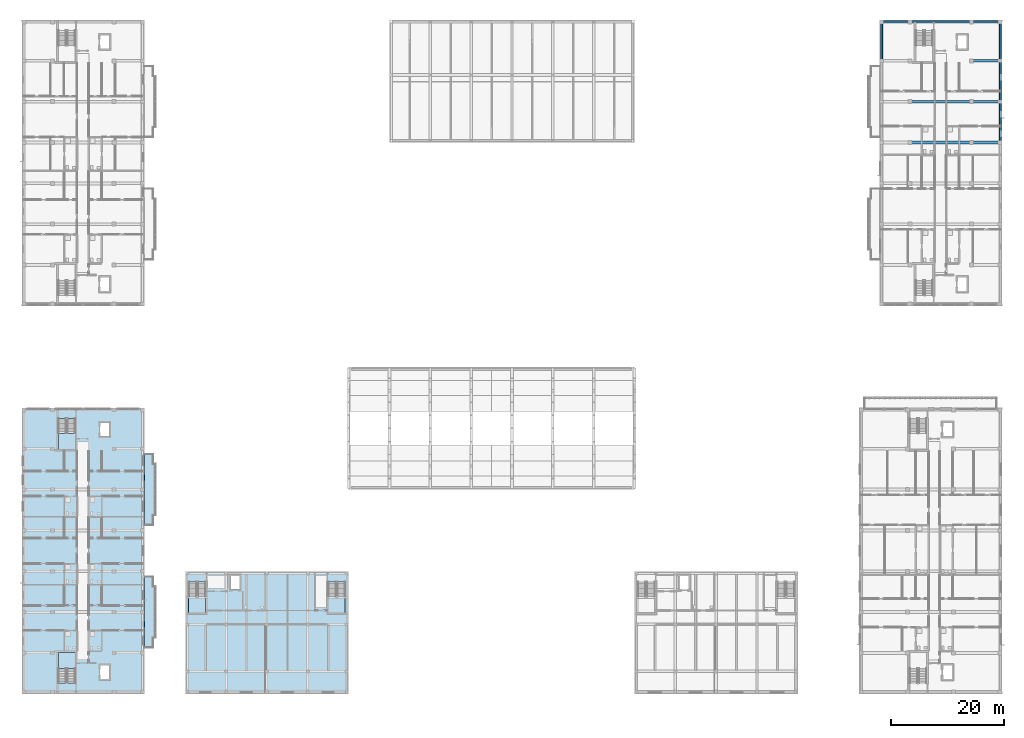
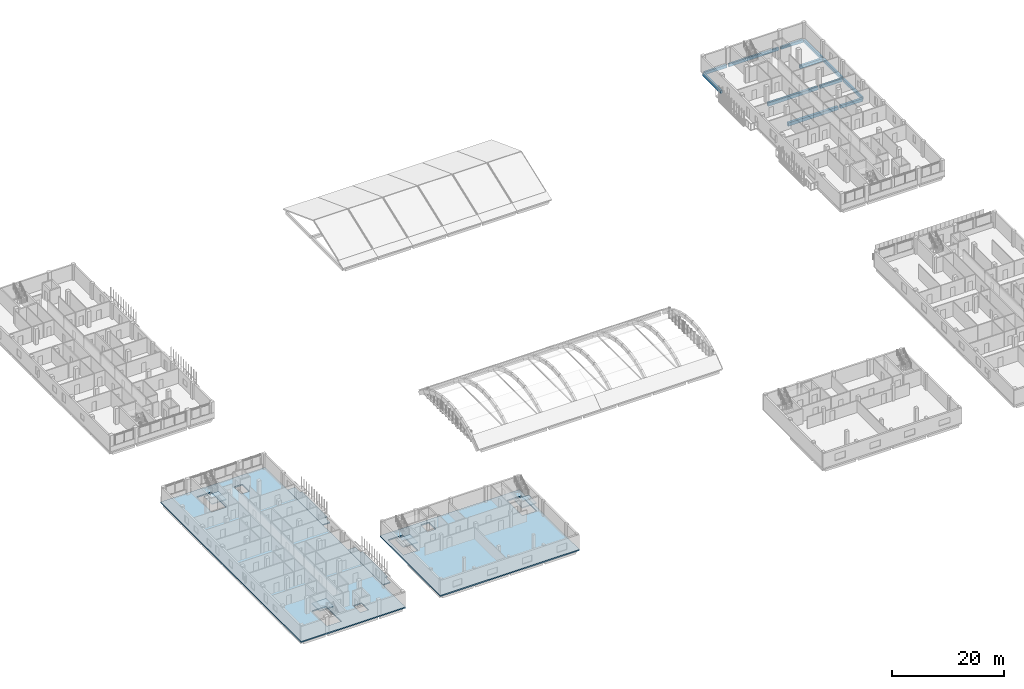
# One storey, part 28 of 73: 12 beams, 8 slabs, 4 elements without a shape of their own.
"""IFC4 building model written with IfcOpenShell, lengths in metres."""

from ifc_helpers import new_model, si_unit, derived_unit, direction, frame, origin, origin_2d, place, context, subcontext, project, spatial, polyline, rectangle, outline, extrude, material, layer, layer_set, material_profile, profile_set, type_object, element, aggregate, save


model = new_model("IFC4")

# Units and contexts
model_context = context("Model", 3, precision=1e-05, world=origin(), true_north=direction((0.0, 1.0)))
body_context = subcontext(model_context, "Body", "Model", "MODEL_VIEW")
ifc_project = project(units=[si_unit("LENGTHUNIT", "METRE"), si_unit("AREAUNIT", "SQUARE_METRE"), si_unit("VOLUMEUNIT", "CUBIC_METRE"), si_unit("PLANEANGLEUNIT", "RADIAN"), si_unit("MASSUNIT", "GRAM", prefix="KILO"), derived_unit("THERMALTRANSMITTANCEUNIT", [(si_unit("MASSUNIT", "GRAM", prefix="KILO"), 1), (si_unit("TIMEUNIT", "SECOND"), -3), (si_unit("THERMODYNAMICTEMPERATUREUNIT", "KELVIN"), -1)])], contexts=[model_context])

# Site, building, storey
site_placement = place(None, origin())
site = spatial("IfcSite", under=ifc_project, at=site_placement, CompositionType="ELEMENT")
building_placement = place(site_placement, origin())
building = spatial("IfcBuilding", under=site, at=building_placement, Name="Ochrekiln Boulevard Commons", CompositionType="ELEMENT")
storey_placement = place(building_placement, frame((0.0, 0.0, 8.574951171875)))
storey = spatial("IfcBuildingStorey", under=building, at=storey_placement, Name="L02", CompositionType="ELEMENT", Elevation=8.574951171875)

# Beams
ifc_material_1 = material(Name="Concrete C35/45", Category="concrete")
ifc_material_profile_1 = material_profile(ifc_material_1, rectangle(XDim=0.449951171875, YDim=0.64990234375, at=origin_2d()), Name="RC-BM-450x650")
ifc_profile_set_1 = profile_set([ifc_material_profile_1], Name="Concrete C35/45")
beam_type_1 = type_object("IfcBeamType", Name="BM-RC-450x650", PredefinedType="BEAM", material=ifc_profile_set_1)
for number, where, z_axis, x_axis, name in (
    (1, (167.610107421875, 97.199951171875, -0.5849609375), (1.0, 0.0, 0.0), (0.0, 1.0, 0.0), "Block B L02 Beam B-4565 X14"),
    (2, (167.610107421875, 104.39990234375, -0.5849609375), (1.0, 0.0, 0.0), (0.0, 1.0, 0.0), "Block B L02 Beam B-4565 X17"),
    (3, (167.610107421875, 111.60009765625, -0.5849609375), (1.0, 0.0, 0.0), (0.0, 1.0, 0.0), "Block B L02 Beam B-4565 X19"),
):
    element("IfcBeam", number, at=place(storey_placement, frame(where, z_axis=z_axis, x_axis=x_axis)), inside=storey, type_object=beam_type_1, Name=name, PredefinedType="BEAM", context=body_context, shape_type="SweptSolid", body=[
        extrude(rectangle(XDim=0.449951171875, YDim=0.64990234375, at=origin_2d()), origin(), (0.0, 0.0, 1.0), 4.6298828125),
    ])
ifc_material_2 = material(Name="Concrete C40/50", Category="concrete")
ifc_material_profile_2 = material_profile(ifc_material_2, rectangle(XDim=0.5, YDim=0.699951171875, at=origin_2d()), Name="RC-BM-500x700")
ifc_profile_set_2 = profile_set([ifc_material_profile_2], Name="Concrete C40/50")
beam_type_2 = type_object("IfcBeamType", Name="BM-RC-500x700", PredefinedType="BEAM", material=ifc_profile_set_2)
for number, where, z_axis, x_axis, name in (
    (4, (156.81005859375, 97.199951171875, -0.60986328125), (1.0, 0.0, 0.0), (0.0, 1.0, 0.0), "Block B L02 Beam B-5070 X13"),
    (5, (156.81005859375, 104.39990234375, -0.60986328125), (1.0, 0.0, 0.0), (0.0, 1.0, 0.0), "Block B L02 Beam B-5070 X16"),
):
    element("IfcBeam", number, at=place(storey_placement, frame(where, z_axis=z_axis, x_axis=x_axis)), inside=storey, type_object=beam_type_2, Name=name, PredefinedType="BEAM", context=body_context, shape_type="SweptSolid", body=[
        extrude(rectangle(XDim=0.5, YDim=0.699951171875, at=origin_2d()), origin(), (0.0, 0.0, 1.0), 10.3798828125),
    ])
ifc_material_profile_3 = material_profile(ifc_material_2, rectangle(XDim=0.35009765625, YDim=0.64990234375, at=origin_2d()), Name="RC-SPN-350x650")
ifc_profile_set_3 = profile_set([ifc_material_profile_3], Name="Concrete C40/50")
beam_type_3 = type_object("IfcBeamType", Name="SPN-RC-350x650", PredefinedType="SPANDREL", material=ifc_profile_set_3)
beam_1_placement = place(storey_placement, frame((151.760009765625, 118.449951171875, -0.5849609375), z_axis=(1.0, 0.0, 0.0), x_axis=(0.0, 1.0, 0.0)))
element("IfcBeam", 6, at=beam_1_placement, inside=storey, type_object=beam_type_3, Name="Block B L02 Beam SP-3565 X20", PredefinedType="SPANDREL", context=body_context, shape_type="SweptSolid", body=[
    extrude(rectangle(XDim=0.35009765625, YDim=0.64990234375, at=origin_2d()), origin(), (0.0, 0.0, 1.0), 4.6298828125),
])
beam_2_placement = place(storey_placement, frame((156.81005859375, 118.449951171875, -0.5849609375), z_axis=(1.0, 0.0, 0.0), x_axis=(0.0, 1.0, 0.0)))
element("IfcBeam", 7, at=beam_2_placement, inside=storey, type_object=beam_type_3, Name="Block B L02 Beam SP-3565 X21", PredefinedType="SPANDREL", context=body_context, shape_type="SweptSolid", body=[
    extrude(rectangle(XDim=0.35009765625, YDim=0.64990234375, at=origin_2d()), origin(), (0.0, 0.0, 1.0), 10.3798828125),
])
beam_3_placement = place(storey_placement, frame((167.610107421875, 118.449951171875, -0.5849609375), z_axis=(1.0, 0.0, 0.0), x_axis=(0.0, 1.0, 0.0)))
element("IfcBeam", 8, at=beam_3_placement, inside=storey, type_object=beam_type_3, Name="Block B L02 Beam SP-3565 X22", PredefinedType="SPANDREL", context=body_context, shape_type="SweptSolid", body=[
    extrude(rectangle(XDim=0.35009765625, YDim=0.64990234375, at=origin_2d()), origin(), (0.0, 0.0, 1.0), 4.6298828125),
])
beam_4_placement = place(storey_placement, frame((151.550048828125, 111.81005859375, -0.5849609375), z_axis=(0.0, 1.0, 0.0), x_axis=(-1.0, 0.0, 0.0)))
element("IfcBeam", 9, at=beam_4_placement, inside=storey, type_object=beam_type_3, Name="Block B L02 Beam SP-3565 Y29", PredefinedType="SPANDREL", context=body_context, shape_type="SweptSolid", body=[
    extrude(rectangle(XDim=0.35009765625, YDim=0.64990234375, at=origin_2d()), origin(), (0.0, 0.0, 1.0), 6.429931640625),
])
beam_5_placement = place(storey_placement, frame((172.449951171875, 97.409912109375, -0.5849609375), z_axis=(0.0, 1.0, 0.0), x_axis=(-1.0, 0.0, 0.0)))
element("IfcBeam", 10, at=beam_5_placement, inside=storey, type_object=beam_type_3, Name="Block B L02 Beam SP-3565 Y34", PredefinedType="SPANDREL", context=body_context, shape_type="SweptSolid", body=[
    extrude(rectangle(XDim=0.35009765625, YDim=0.64990234375, at=origin_2d()), origin(), (0.0, 0.0, 1.0), 6.780029296875),
])
beam_6_placement = place(storey_placement, frame((172.449951171875, 104.610107421875, -0.5849609375), z_axis=(0.0, 1.0, 0.0), x_axis=(-1.0, 0.0, 0.0)))
element("IfcBeam", 11, at=beam_6_placement, inside=storey, type_object=beam_type_3, Name="Block B L02 Beam SP-3565 Y35", PredefinedType="SPANDREL", context=body_context, shape_type="SweptSolid", body=[
    extrude(rectangle(XDim=0.35009765625, YDim=0.64990234375, at=origin_2d()), origin(), (0.0, 0.0, 1.0), 6.77978515625),
])
beam_7_placement = place(storey_placement, frame((172.449951171875, 111.81005859375, -0.5849609375), z_axis=(0.0, 1.0, 0.0), x_axis=(-1.0, 0.0, 0.0)))
element("IfcBeam", 12, at=beam_7_placement, inside=storey, type_object=beam_type_3, Name="Block B L02 Beam SP-3565 Y36", PredefinedType="SPANDREL", context=body_context, shape_type="SweptSolid", body=[
    extrude(rectangle(XDim=0.35009765625, YDim=0.64990234375, at=origin_2d()), origin(), (0.0, 0.0, 1.0), 6.429931640625),
])

# Slabs
ifc_layer_1 = layer(ifc_material_1, 0.27490234375)
ifc_layer_set_1 = layer_set([ifc_layer_1], Name="Concrete C35/45")
slab_type_1 = type_object("IfcSlabType", Name="SLB-ARC-275", PredefinedType="FLOOR", material=ifc_layer_set_1)
slab_1_placement = place(storey_placement, frame((0.0, 0.0, -0.27490234375)))
element("IfcSlab", 13, at=slab_1_placement, inside=storey, type_object=slab_type_1, Name="West Boulevard Arcade L02 Floor Slab", PredefinedType="FLOOR", context=body_context, shape_type="SweptSolid", body=[
    extrude(outline(polyline([(28.800048828125, 0.0), (57.60009765625, 0.0), (57.60009765625, 21.60009765625), (28.800048828125, 21.60009765625), (28.800048828125, 0.0)]), holes=[polyline([(29.39990234375, 19.7294921875), (29.39990234375, 14.280029296875), (32.39990234375, 14.280029296875), (32.39990234375, 19.7294921875), (29.39990234375, 19.7294921875)]), polyline([(54.0, 19.7294921875), (54.0, 14.280029296875), (57.0, 14.280029296875), (57.0, 19.7294921875), (54.0, 19.7294921875)]), polyline([(36.75, 18.35009765625), (38.449951171875, 18.35009765625), (38.449951171875, 20.85009765625), (36.75, 20.85009765625), (36.75, 18.35009765625)])]), origin(), (0.0, 0.0, 1.0), 0.27490234375),
])
ifc_layer_2 = layer(ifc_material_1, 0.219970703125)
ifc_layer_set_2 = layer_set([ifc_layer_2], Name="Concrete C35/45")
slab_type_2 = type_object("IfcSlabType", Name="SLB-BAL-220", PredefinedType="FLOOR", material=ifc_layer_set_2)
slab_2_placement = place(storey_placement, frame((0.0, 0.0, -0.219970703125)))
element("IfcSlab", 14, at=slab_2_placement, inside=storey, type_object=slab_type_2, Name="Block D L02 Planter-Box Balcony Slab 1", PredefinedType="FLOOR", context=body_context, shape_type="SweptSolid", body=[
    extrude(outline(polyline([(21.60009765625, 8.10009765625), (23.14990234375, 8.10009765625), (23.14990234375, 9.89990234375), (23.60009765625, 9.89990234375), (23.60009765625, 18.89990234375), (23.14990234375, 18.89990234375), (23.14990234375, 20.699951171875), (21.60009765625, 20.699951171875), (21.60009765625, 8.10009765625)])), origin(), (0.0, 0.0, 1.0), 0.219970703125),
])
slab_3_placement = place(storey_placement, frame((0.0, 0.0, -0.219970703125)))
element("IfcSlab", 15, at=slab_3_placement, inside=storey, type_object=slab_type_2, Name="Block D L02 Planter-Box Balcony Slab 2", PredefinedType="FLOOR", context=body_context, shape_type="SweptSolid", body=[
    extrude(outline(polyline([(21.60009765625, 29.699951171875), (23.14990234375, 29.699951171875), (23.14990234375, 31.5), (23.60009765625, 31.5), (23.60009765625, 40.5), (23.14990234375, 40.5), (23.14990234375, 42.300048828125), (21.60009765625, 42.300048828125), (21.60009765625, 29.699951171875)])), origin(), (0.0, 0.0, 1.0), 0.219970703125),
])

# Stair, slab
stair_type = type_object("IfcStairType", Name="STR-DL-350", PredefinedType="TWO_STRAIGHT_RUN_STAIR", material=ifc_material_1)
stair_1_placement = place(storey_placement, origin())
stair_1 = element("IfcStair", 16, at=stair_1_placement, inside=storey, type_object=stair_type, Name="L02 Enclosed Exit Stair ST-D1", PredefinedType="TWO_STRAIGHT_RUN_STAIR")
ifc_layer_3 = layer(ifc_material_1, 0.199951171875)
ifc_layer_set_3 = layer_set([ifc_layer_3], Name="Concrete C35/45")
slab_type_3 = type_object("IfcSlabType", Name="SLB-LND-200", PredefinedType="LANDING", material=ifc_layer_set_3)
slab_4_placement = place(storey_placement, frame((0.0, 0.0, 1.550048828125)))
slab_4 = element("IfcSlab", 17, at=slab_4_placement, type_object=slab_type_3, Name="ST-D1 landing 1", PredefinedType="LANDING", context=body_context, shape_type="SweptSolid", body=[
    extrude(outline(polyline([(9.39990234375, 4.47998046875), (9.39990234375, 7.320068359375), (6.39990234375, 7.320068359375), (6.39990234375, 4.47998046875), (9.39990234375, 4.47998046875)])), origin(), (0.0, 0.0, 1.0), 0.199951171875),
])
aggregate(stair_1, [slab_4])

stair_2_placement = place(storey_placement, origin())
stair_2 = element("IfcStair", 18, at=stair_2_placement, inside=storey, type_object=stair_type, Name="L02 Enclosed Exit Stair ST-D2", PredefinedType="TWO_STRAIGHT_RUN_STAIR")
slab_5_placement = place(storey_placement, frame((0.0, 0.0, 1.550048828125)))
slab_5 = element("IfcSlab", 19, at=slab_5_placement, type_object=slab_type_3, Name="ST-D2 landing 1", PredefinedType="LANDING", context=body_context, shape_type="SweptSolid", body=[
    extrude(outline(polyline([(6.39990234375, 45.919921875), (6.39990234375, 43.080078125), (9.39990234375, 43.080078125), (9.39990234375, 45.919921875), (6.39990234375, 45.919921875)])), origin(), (0.0, 0.0, 1.0), 0.199951171875),
])
aggregate(stair_2, [slab_5])

stair_3_placement = place(storey_placement, origin())
stair_3 = element("IfcStair", 20, at=stair_3_placement, inside=storey, type_object=stair_type, Name="L02 Enclosed Exit Stair ST-W1", PredefinedType="TWO_STRAIGHT_RUN_STAIR")
slab_6_placement = place(storey_placement, frame((0.0, 0.0, 1.550048828125)))
slab_6 = element("IfcSlab", 21, at=slab_6_placement, type_object=slab_type_3, Name="ST-W1 landing 1", PredefinedType="LANDING", context=body_context, shape_type="SweptSolid", body=[
    extrude(outline(polyline([(29.39990234375, 17.1201171875), (29.39990234375, 14.280029296875), (32.39990234375, 14.280029296875), (32.39990234375, 17.1201171875), (29.39990234375, 17.1201171875)])), origin(), (0.0, 0.0, 1.0), 0.199951171875),
])
aggregate(stair_3, [slab_6])

stair_4_placement = place(storey_placement, origin())
stair_4 = element("IfcStair", 22, at=stair_4_placement, inside=storey, type_object=stair_type, Name="L02 Enclosed Exit Stair ST-W2", PredefinedType="TWO_STRAIGHT_RUN_STAIR")
slab_7_placement = place(storey_placement, frame((0.0, 0.0, 1.550048828125)))
slab_7 = element("IfcSlab", 23, at=slab_7_placement, type_object=slab_type_3, Name="ST-W2 landing 1", PredefinedType="LANDING", context=body_context, shape_type="SweptSolid", body=[
    extrude(outline(polyline([(54.0, 17.1201171875), (54.0, 14.280029296875), (57.0, 14.280029296875), (57.0, 17.1201171875), (54.0, 17.1201171875)])), origin(), (0.0, 0.0, 1.0), 0.199951171875),
])
aggregate(stair_4, [slab_7])

# Slab
ifc_layer_4 = layer(ifc_material_1, 0.260009765625)
ifc_layer_set_4 = layer_set([ifc_layer_4], Name="Concrete C35/45")
slab_type_4 = type_object("IfcSlabType", Name="SLB-RES-260", PredefinedType="FLOOR", material=ifc_layer_set_4)
slab_8_placement = place(storey_placement, frame((0.0, 0.0, -0.260009765625)))
element("IfcSlab", 24, at=slab_8_placement, inside=storey, type_object=slab_type_4, Name="Block D L02 Reinforced Concrete Floor Slab", PredefinedType="FLOOR", context=body_context, shape_type="SweptSolid", body=[
    extrude(outline(polyline([(0.0, 0.0), (21.60009765625, 0.0), (21.60009765625, 50.39990234375), (0.0, 50.39990234375), (0.0, 0.0)]), holes=[polyline([(9.39990234375, 1.87060546875), (9.39990234375, 7.320068359375), (6.39990234375, 7.320068359375), (6.39990234375, 1.87060546875), (9.39990234375, 1.87060546875)]), polyline([(6.39990234375, 48.529541015625), (6.39990234375, 43.080078125), (9.39990234375, 43.080078125), (9.39990234375, 48.529541015625), (6.39990234375, 48.529541015625)]), polyline([(13.75, 2.550048828125), (15.449951171875, 2.550048828125), (15.449951171875, 5.050048828125), (13.75, 5.050048828125), (13.75, 2.550048828125)]), polyline([(13.75, 45.35009765625), (15.449951171875, 45.35009765625), (15.449951171875, 47.85009765625), (13.75, 47.85009765625), (13.75, 45.35009765625)])]), origin(), (0.0, 0.0, 1.0), 0.260009765625),
])

save(model, "model.ifc")
